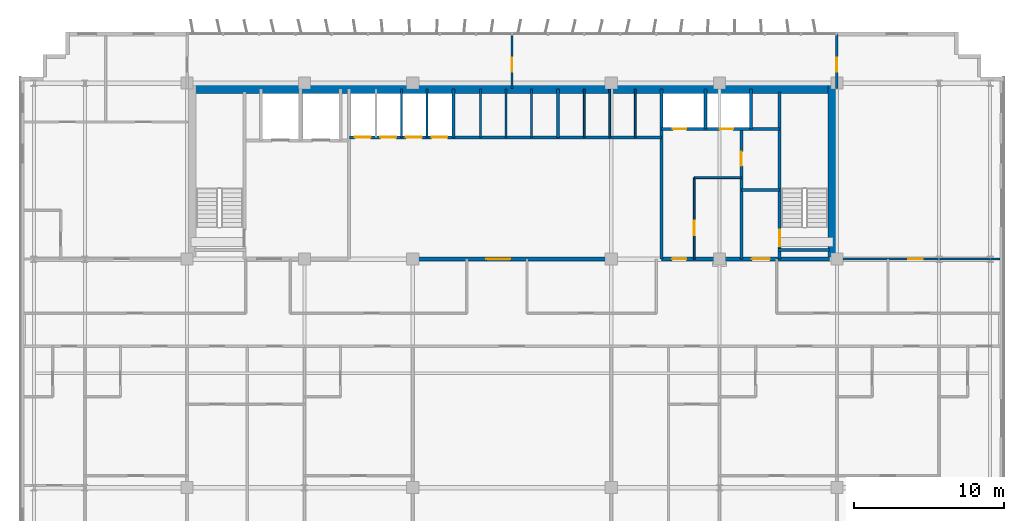
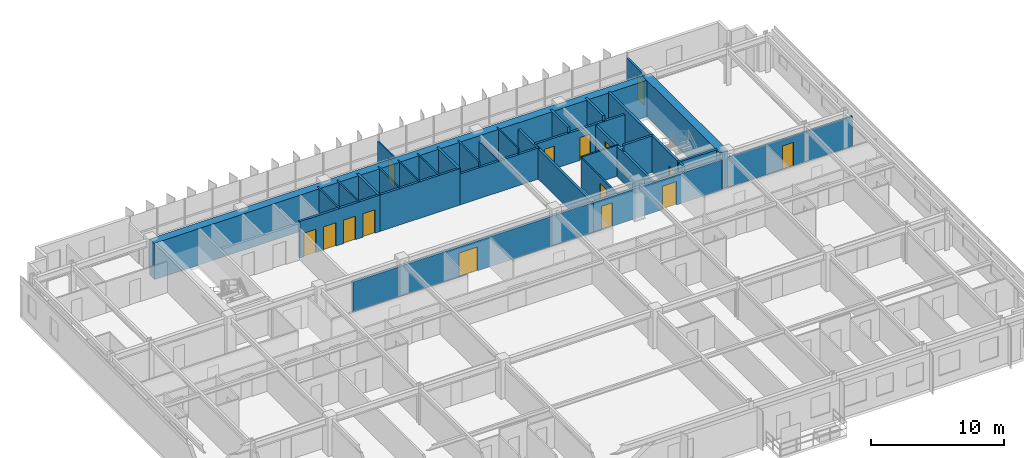
# One storey, part 18 of 22: 30 walls, 15 doors, 15 openings.
"""IFC4 building model written with IfcOpenShell, lengths in metres."""

from ifc_helpers import new_model, si_unit, direction, frame, frame_2d, origin, place, context, subcontext, project, spatial, rectangle, extrude, source, transform, mapped, material, layer, layer_set, type_object, element, fill, save


model = new_model("IFC4")

# Units and contexts
model_context = context("Model", 3, precision=1e-05, world=origin(), true_north=direction((0.0, 1.0)))
body_context = subcontext(model_context, "Body", "Model", "MODEL_VIEW")
ifc_project = project(units=[si_unit("LENGTHUNIT", "METRE"), si_unit("AREAUNIT", "SQUARE_METRE"), si_unit("VOLUMEUNIT", "CUBIC_METRE"), si_unit("PLANEANGLEUNIT", "RADIAN"), si_unit("MASSUNIT", "GRAM", prefix="KILO")], contexts=[model_context])

# Site, building, storey
site_placement = place(None, origin())
site = spatial("IfcSite", under=ifc_project, at=site_placement, CompositionType="ELEMENT")
building_placement = place(site_placement, origin())
building = spatial("IfcBuilding", under=site, at=building_placement, Name="Trelvane Seafront Commons", CompositionType="ELEMENT")
storey_placement = place(building_placement, frame((0.0, 0.0, 92.5)))
storey = spatial("IfcBuildingStorey", under=building, at=storey_placement, Name="L23", CompositionType="ELEMENT", Elevation=92.5)

# Wall, opening, door
ifc_material_1 = material(Name="Concrete C40/50", Category="concrete")
ifc_layer_1 = layer(ifc_material_1, 0.199951171875, Name="ARCH-WALL-FIRE200")
ifc_layer_set_1 = layer_set([ifc_layer_1], Name="Concrete C40/50")
wall_type_1 = type_object("IfcWallType", Name="ARCH-WALL-FIRE200", PredefinedType="PARTITIONING", material=ifc_layer_set_1)
wall_1_placement = place(storey_placement, frame((52.449951171875, 33.39990234375, 0.0), z_axis=(0.0, 0.0, 1.0), x_axis=(0.0, 1.0, 0.0)))
wall_1 = element("IfcWall", 1, at=wall_1_placement, inside=storey, type_object=wall_type_1, Name="W-L23-ST2V-W-033", PredefinedType="PARTITIONING", context=body_context, shape_type="SweptSolid", body=[
    extrude(rectangle(XDim=8.650146484375, YDim=0.199951171875, at=frame_2d((4.3251953125, 0.0))), origin(), (0.0, 0.0, 1.0), 2.751953125),
])
opening_1_placement = place(wall_1_placement, frame((6.199951171875, 0.0, 0.0)))
opening_1 = element("IfcOpeningElement", 2, at=opening_1_placement, cuts=wall_1, Name="Opening FD-L23-13", PredefinedType="OPENING", context=body_context, shape_type="SweptSolid", body=[
    extrude(rectangle(XDim=0.949951171875, YDim=2.14990234375, at=frame_2d((0.47509765625, 1.074951171875))), frame((0.0, 0.10986328125, 0.0), z_axis=(0.0, -1.0, 0.0), x_axis=(1.0, 0.0, 0.0)), (0.0, 0.0, 1.0), 0.219970703125),
])
ifc_material_2 = material(Name="Powder-coated aluminium frame", Category="aluminium")
door_type_1 = type_object("IfcDoorType", Name="ARCH-DR-FD60-950", OperationType="NOTDEFINED", PredefinedType="DOOR", material=ifc_material_2)
shared_shape_1 = source(origin(), body_context, "Body", "SweptSolid", [
    extrude(rectangle(XDim=0.949951171875, YDim=2.14990234375, at=frame_2d((0.47509765625, 1.074951171875))), frame((0.0, 0.02490234375, 0.0), z_axis=(0.0, -1.0, 0.0), x_axis=(1.0, 0.0, 0.0)), (0.0, 0.0, 1.0), 0.050048828125),
])
door_1_placement = place(opening_1_placement, origin())
door_1 = element("IfcDoor", 3, at=door_1_placement, inside=storey, type_object=door_type_1, Name="L23 Cleaner Store Door", OperationType="SINGLE_SWING_LEFT", OverallHeight=2.14990234375, OverallWidth=0.949951171875, PredefinedType="DOOR", context=body_context, shape_type="MappedRepresentation", body=[
    mapped(shared_shape_1, transform((0.0, 0.0, 0.0), x_axis=(1.0, 0.0, 0.0), y_axis=(0.0, 1.0, 0.0), z_axis=(0.0, 0.0, 1.0), scale=1.0)),
])
fill(opening_1, door_1)

# Wall
wall_2_placement = place(storey_placement, frame((52.449951171875, 38.0, 0.0), z_axis=(0.0, 0.0, 1.0), x_axis=(1.0, 0.0, 0.0)))
element("IfcWall", 4, at=wall_2_placement, inside=storey, type_object=wall_type_1, Name="W-L23-ST2V-N-034", PredefinedType="PARTITIONING", context=body_context, shape_type="SweptSolid", body=[
    extrude(rectangle(XDim=2.550048828125, YDim=0.199951171875, at=frame_2d((1.27490234375, 0.0))), origin(), (0.0, 0.0, 1.0), 3.340087890625),
])

# Wall, opening, door
ifc_layer_2 = layer(ifc_material_1, 0.25, Name="ARCH-WALL-FIRE250")
ifc_layer_set_2 = layer_set([ifc_layer_2], Name="Concrete C40/50")
wall_type_2 = type_object("IfcWallType", Name="ARCH-WALL-FIRE250", PredefinedType="PARTITIONING", material=ifc_layer_set_2)
wall_3_placement = place(storey_placement, frame((26.300048828125, 33.39990234375, 0.0), z_axis=(0.0, 0.0, 1.0), x_axis=(1.0, 0.0, 0.0)))
wall_3 = element("IfcWall", 5, at=wall_3_placement, inside=storey, type_object=wall_type_2, Name="W-L23-CS-PAX-029", PredefinedType="PARTITIONING", context=body_context, shape_type="SweptSolid", body=[
    extrude(rectangle(XDim=20.849853515625, YDim=0.25, at=frame_2d((10.4248046875, 0.0))), origin(), (0.0, 0.0, 1.0), 2.751953125),
])
opening_2_placement = place(wall_3_placement, frame((9.199951171875, 0.0, 0.0)))
opening_2 = element("IfcOpeningElement", 6, at=opening_2_placement, cuts=wall_3, Name="Opening FD-L23-10", PredefinedType="OPENING", context=body_context, shape_type="SweptSolid", body=[
    extrude(rectangle(XDim=1.60009765625, YDim=2.199951171875, at=frame_2d((0.800048828125, 1.10009765625))), frame((0.0, 0.135009765625, 0.0), z_axis=(0.0, -1.0, 0.0), x_axis=(1.0, 0.0, 0.0)), (0.0, 0.0, 1.0), 0.27001953125),
])
door_type_2 = type_object("IfcDoorType", Name="ARCH-DR-FD60-1600", OperationType="DOUBLE_DOOR_SINGLE_SWING", PredefinedType="DOOR", material=ifc_material_2)
shared_shape_2 = source(origin(), body_context, "Body", "SweptSolid", [
    extrude(rectangle(XDim=1.60009765625, YDim=2.199951171875, at=frame_2d((0.800048828125, 1.10009765625))), frame((0.0, 0.02490234375, 0.0), z_axis=(0.0, -1.0, 0.0), x_axis=(1.0, 0.0, 0.0)), (0.0, 0.0, 1.0), 0.050048828125),
])
door_2_placement = place(opening_2_placement, origin())
door_2 = element("IfcDoor", 7, at=door_2_placement, inside=storey, type_object=door_type_2, Name="L23 Passenger Lift Lobby Double Door", OperationType="DOUBLE_DOOR_SINGLE_SWING", OverallHeight=2.199951171875, OverallWidth=1.60009765625, PredefinedType="DOOR", context=body_context, shape_type="MappedRepresentation", body=[
    mapped(shared_shape_2, transform((0.0, 0.0, 0.0), x_axis=(1.0, 0.0, 0.0), y_axis=(0.0, 1.0, 0.0), z_axis=(0.0, 0.0, 1.0), scale=1.0)),
])
fill(opening_2, door_2)

# Wall, openings, doors
wall_4_placement = place(storey_placement, frame((47.14990234375, 33.39990234375, 0.0), z_axis=(0.0, 0.0, 1.0), x_axis=(1.0, 0.0, 0.0)))
wall_4 = element("IfcWall", 8, at=wall_4_placement, inside=storey, type_object=wall_type_2, Name="W-L23-CS-EAST-037", PredefinedType="PARTITIONING", context=body_context, shape_type="SweptSolid", body=[
    extrude(rectangle(XDim=11.150146484375, YDim=0.25, at=frame_2d((5.5751953125, 0.0))), origin(), (0.0, 0.0, 1.0), 2.751953125),
])
opening_3_placement = place(wall_4_placement, frame((0.699951171875, 0.0, 0.0)))
opening_3 = element("IfcOpeningElement", 9, at=opening_3_placement, cuts=wall_4, Name="Opening FD-L23-15", PredefinedType="OPENING", context=body_context, shape_type="SweptSolid", body=[
    extrude(rectangle(XDim=0.949951171875, YDim=2.14990234375, at=frame_2d((0.47509765625, 1.074951171875))), frame((0.0, 0.135009765625, 0.0), z_axis=(0.0, -1.0, 0.0), x_axis=(1.0, 0.0, 0.0)), (0.0, 0.0, 1.0), 0.27001953125),
])
opening_4_placement = place(wall_4_placement, frame((6.0, 0.0, 0.0)))
opening_4 = element("IfcOpeningElement", 10, at=opening_4_placement, cuts=wall_4, Name="Opening FD-L23-16", PredefinedType="OPENING", context=body_context, shape_type="SweptSolid", body=[
    extrude(rectangle(XDim=1.199951171875, YDim=2.14990234375, at=frame_2d((0.60009765625, 1.074951171875))), frame((0.0, 0.135009765625, 0.0), z_axis=(0.0, -1.0, 0.0), x_axis=(1.0, 0.0, 0.0)), (0.0, 0.0, 1.0), 0.27001953125),
])
door_3_placement = place(opening_3_placement, origin())
door_3 = element("IfcDoor", 11, at=door_3_placement, inside=storey, type_object=door_type_1, Name="L23 Core Service Lobby Door", OperationType="SINGLE_SWING_LEFT", OverallHeight=2.14990234375, OverallWidth=0.949951171875, PredefinedType="DOOR", context=body_context, shape_type="MappedRepresentation", body=[
    mapped(shared_shape_1, transform((0.0, 0.0, 0.0), x_axis=(1.0, 0.0, 0.0), y_axis=(0.0, 1.0, 0.0), z_axis=(0.0, 0.0, 1.0), scale=1.0)),
])
fill(opening_3, door_3)
door_type_3 = type_object("IfcDoorType", Name="ARCH-DR-FD60-1200", OperationType="NOTDEFINED", PredefinedType="DOOR", material=ifc_material_2)
shared_shape_3 = source(origin(), body_context, "Body", "SweptSolid", [
    extrude(rectangle(XDim=1.199951171875, YDim=2.14990234375, at=frame_2d((0.60009765625, 1.074951171875))), frame((0.0, 0.02490234375, 0.0), z_axis=(0.0, -1.0, 0.0), x_axis=(1.0, 0.0, 0.0)), (0.0, 0.0, 1.0), 0.050048828125),
])
door_4_placement = place(opening_4_placement, origin())
door_4 = element("IfcDoor", 12, at=door_4_placement, inside=storey, type_object=door_type_3, Name="L23 East Stair Vestibule Fire Door", OperationType="SINGLE_SWING_RIGHT", OverallHeight=2.14990234375, OverallWidth=1.199951171875, PredefinedType="DOOR", context=body_context, shape_type="MappedRepresentation", body=[
    mapped(shared_shape_3, transform((0.0, 0.0, 0.0), x_axis=(1.0, 0.0, 0.0), y_axis=(0.0, 1.0, 0.0), z_axis=(0.0, 0.0, 1.0), scale=1.0)),
])
fill(opening_4, door_4)

# Walls
ifc_material_3 = material(Name="Gypsum Drywall Acoustic Partition")
ifc_layer_3 = layer(ifc_material_3, 0.1201171875, Name="ARCH-WALL-PART120")
ifc_layer_set_3 = layer_set([ifc_layer_3], Name="Gypsum Drywall Acoustic Partition")
wall_type_3 = type_object("IfcWallType", Name="ARCH-WALL-PART120", PredefinedType="PARTITIONING", material=ifc_layer_set_3)
for number, where, z_axis, x_axis, name in (
    (13, (29.85009765625, 41.5, 0.0), (0.0, 0.0, 1.0), (0.0, 1.0, 0.0), "W-L23-PL-DIV2-017"),
    (14, (31.550048828125, 41.5, 0.0), (0.0, 0.0, 1.0), (0.0, 1.0, 0.0), "W-L23-PL-DIV3-018"),
    (15, (35.10009765625, 41.5, 0.0), (0.0, 0.0, 1.0), (0.0, 1.0, 0.0), "W-L23-PM-DIV1-020"),
    (16, (36.800048828125, 41.5, 0.0), (0.0, 0.0, 1.0), (0.0, 1.0, 0.0), "W-L23-PM-DIV2-021"),
    (17, (38.5, 41.5, 0.0), (0.0, 0.0, 1.0), (0.0, 1.0, 0.0), "W-L23-PM-DIV3-022"),
    (18, (42.0, 41.5, 0.0), (0.0, 0.0, 1.0), (0.0, 1.0, 0.0), "W-L23-PH-DIV1-025"),
):
    element("IfcWall", number, at=place(storey_placement, frame(where, z_axis=z_axis, x_axis=x_axis)), inside=storey, type_object=wall_type_3, Name=name, PredefinedType="PARTITIONING", context=body_context, shape_type="SweptSolid", body=[
        extrude(rectangle(XDim=3.199951171875, YDim=0.1201171875, at=frame_2d((1.60009765625, 0.0))), origin(), (0.0, 0.0, 1.0), 3.340087890625),
    ])
wall_5_placement = place(storey_placement, frame((43.699951171875, 41.5, 0.0), z_axis=(0.0, 0.0, 1.0), x_axis=(0.0, 1.0, 0.0)))
element("IfcWall", 19, at=wall_5_placement, inside=storey, type_object=wall_type_3, Name="W-L23-PH-DIV2-026", PredefinedType="PARTITIONING", context=body_context, shape_type="SweptSolid", body=[
    extrude(rectangle(XDim=3.199951171875, YDim=0.1201171875, at=frame_2d((1.60009765625, 0.0))), origin(), (0.0, 0.0, 1.0), 2.840087890625),
])
wall_6_placement = place(storey_placement, frame((45.39990234375, 41.5, 0.0), z_axis=(0.0, 0.0, 1.0), x_axis=(0.0, 1.0, 0.0)))
element("IfcWall", 20, at=wall_6_placement, inside=storey, type_object=wall_type_3, Name="W-L23-PH-DIV3-027", PredefinedType="PARTITIONING", context=body_context, shape_type="SweptSolid", body=[
    extrude(rectangle(XDim=3.199951171875, YDim=0.1201171875, at=frame_2d((1.60009765625, 0.0))), origin(), (0.0, 0.0, 1.0), 3.340087890625),
])

# Wall, opening, door
wall_7_placement = place(storey_placement, frame((49.320068359375, 33.39990234375, 0.0), z_axis=(0.0, 0.0, 1.0), x_axis=(0.0, 1.0, 0.0)))
wall_7 = element("IfcWall", 21, at=wall_7_placement, inside=storey, type_object=wall_type_3, Name="W-L23-CYC2-V-035", PredefinedType="PARTITIONING", context=body_context, shape_type="SweptSolid", body=[
    extrude(rectangle(XDim=5.420166015625, YDim=0.1201171875, at=frame_2d((2.7099609375, 0.0))), origin(), (0.0, 0.0, 1.0), 2.751953125),
])
opening_5_placement = place(wall_7_placement, frame((1.60009765625, 0.0, 0.0)))
opening_5 = element("IfcOpeningElement", 22, at=opening_5_placement, cuts=wall_7, Name="Opening D-L23-14", PredefinedType="OPENING", context=body_context, shape_type="SweptSolid", body=[
    extrude(rectangle(XDim=0.949951171875, YDim=2.14990234375, at=frame_2d((0.47509765625, 1.074951171875))), frame((0.0, 0.070068359375, 0.0), z_axis=(0.0, -1.0, 0.0), x_axis=(1.0, 0.0, 0.0)), (0.0, 0.0, 1.0), 0.14013671875),
])
ifc_material_4 = material(Name="Acoustic timber door leaf", Category="wood")
door_type_4 = type_object("IfcDoorType", Name="ARCH-DR-INT950", OperationType="NOTDEFINED", PredefinedType="DOOR", material=ifc_material_4)
door_5_placement = place(opening_5_placement, origin())
door_5 = element("IfcDoor", 23, at=door_5_placement, inside=storey, type_object=door_type_4, Name="L23 Accessible WC Door", OperationType="SINGLE_SWING_RIGHT", OverallHeight=2.14990234375, OverallWidth=0.949951171875, PredefinedType="DOOR", context=body_context, shape_type="MappedRepresentation", body=[
    mapped(shared_shape_1, transform((0.0, 0.0, 0.0), x_axis=(1.0, 0.0, 0.0), y_axis=(0.0, 1.0, 0.0), z_axis=(0.0, 0.0, 1.0), scale=1.0)),
])
fill(opening_5, door_5)

# Wall
wall_8_placement = place(storey_placement, frame((49.320068359375, 38.820068359375, 0.0), z_axis=(0.0, 0.0, 1.0), x_axis=(1.0, 0.0, 0.0)))
element("IfcWall", 24, at=wall_8_placement, inside=storey, type_object=wall_type_3, Name="W-L23-CYC2-H-036", PredefinedType="PARTITIONING", context=body_context, shape_type="SweptSolid", body=[
    extrude(rectangle(XDim=3.1298828125, YDim=0.1201171875, at=frame_2d((1.56494140625, 0.0))), origin(), (0.0, 0.0, 1.0), 2.840087890625),
])

# Wall, opening, door
wall_9_placement = place(storey_placement, frame((37.199951171875, 44.75, 0.0), z_axis=(0.0, 0.0, 1.0), x_axis=(0.0, 1.0, 0.0)))
wall_9 = element("IfcWall", 25, at=wall_9_placement, inside=storey, type_object=wall_type_3, Name="W-L23-N-MID-DV-056", PredefinedType="PARTITIONING", context=body_context, shape_type="SweptSolid", body=[
    extrude(rectangle(XDim=3.610107421875, YDim=0.1201171875, at=frame_2d((1.80517578125, 0.0))), origin(), (0.0, 0.0, 1.0), 2.751953125),
])
opening_6_placement = place(wall_9_placement, frame((1.10009765625, 0.0, 0.0)))
opening_6 = element("IfcOpeningElement", 26, at=opening_6_placement, cuts=wall_9, Name="Opening D-L23-27", PredefinedType="OPENING", context=body_context, shape_type="SweptSolid", body=[
    extrude(rectangle(XDim=0.949951171875, YDim=2.14990234375, at=frame_2d((0.47509765625, 1.074951171875))), frame((0.0, 0.070068359375, 0.0), z_axis=(0.0, -1.0, 0.0), x_axis=(1.0, 0.0, 0.0)), (0.0, 0.0, 1.0), 0.14013671875),
])
door_6_placement = place(opening_6_placement, origin())
door_6 = element("IfcDoor", 27, at=door_6_placement, inside=storey, type_object=door_type_4, Name="L23 Door 27", OperationType="SINGLE_SWING_LEFT", OverallHeight=2.14990234375, OverallWidth=0.949951171875, PredefinedType="DOOR", context=body_context, shape_type="MappedRepresentation", body=[
    mapped(shared_shape_1, transform((0.0, 0.0, 0.0), x_axis=(1.0, 0.0, 0.0), y_axis=(0.0, 1.0, 0.0), z_axis=(0.0, 0.0, 1.0), scale=1.0)),
])
fill(opening_6, door_6)

ifc_layer_4 = layer(ifc_material_3, 0.14990234375, Name="ARCH-WALL-PART150")
ifc_layer_set_4 = layer_set([ifc_layer_4], Name="Gypsum Drywall Acoustic Partition")
wall_type_4 = type_object("IfcWallType", Name="ARCH-WALL-PART150", PredefinedType="PARTITIONING", material=ifc_layer_set_4)
wall_10_placement = place(storey_placement, frame((58.800048828125, 33.39990234375, 0.0), z_axis=(0.0, 0.0, 1.0), x_axis=(1.0, 0.0, 0.0)))
wall_10 = element("IfcWall", 28, at=wall_10_placement, inside=storey, type_object=wall_type_4, Name="W-L23-NE-ENT-055", PredefinedType="PARTITIONING", context=body_context, shape_type="SweptSolid", body=[
    extrude(rectangle(XDim=10.849853515625, YDim=0.14990234375, at=frame_2d((5.4248046875, 0.0))), origin(), (0.0, 0.0, 1.0), 2.751953125),
])
opening_7_placement = place(wall_10_placement, frame((4.760009765625, 0.0, 0.0)))
opening_7 = element("IfcOpeningElement", 29, at=opening_7_placement, cuts=wall_10, Name="Opening FD-L23-26", PredefinedType="OPENING", context=body_context, shape_type="SweptSolid", body=[
    extrude(rectangle(XDim=0.949951171875, YDim=2.14990234375, at=frame_2d((0.47509765625, 1.074951171875))), frame((0.0, 0.0849609375, 0.0), z_axis=(0.0, -1.0, 0.0), x_axis=(1.0, 0.0, 0.0)), (0.0, 0.0, 1.0), 0.169921875),
])
door_7_placement = place(opening_7_placement, origin())
door_7 = element("IfcDoor", 30, at=door_7_placement, inside=storey, type_object=door_type_1, Name="L23 NE Suite Entrance Door", OperationType="SINGLE_SWING_RIGHT", OverallHeight=2.14990234375, OverallWidth=0.949951171875, PredefinedType="DOOR", context=body_context, shape_type="MappedRepresentation", body=[
    mapped(shared_shape_1, transform((0.0, 0.0, 0.0), x_axis=(1.0, 0.0, 0.0), y_axis=(0.0, 1.0, 0.0), z_axis=(0.0, 0.0, 1.0), scale=1.0)),
])
fill(opening_7, door_7)

wall_11_placement = place(storey_placement, frame((58.800048828125, 44.75, 0.0), z_axis=(0.0, 0.0, 1.0), x_axis=(0.0, 1.0, 0.0)))
wall_11 = element("IfcWall", 31, at=wall_11_placement, inside=storey, type_object=wall_type_4, Name="W-L23-N-LINK-E-058", PredefinedType="PARTITIONING", context=body_context, shape_type="SweptSolid", body=[
    extrude(rectangle(XDim=3.610107421875, YDim=0.14990234375, at=frame_2d((1.80517578125, 0.0))), origin(), (0.0, 0.0, 1.0), 2.840087890625),
])
opening_8_placement = place(wall_11_placement, frame((1.10009765625, 0.0, 0.0)))
opening_8 = element("IfcOpeningElement", 32, at=opening_8_placement, cuts=wall_11, Name="Opening FD-L23-29", PredefinedType="OPENING", context=body_context, shape_type="SweptSolid", body=[
    extrude(rectangle(XDim=0.949951171875, YDim=2.14990234375, at=frame_2d((0.47509765625, 1.074951171875))), frame((0.0, 0.0849609375, 0.0), z_axis=(0.0, -1.0, 0.0), x_axis=(1.0, 0.0, 0.0)), (0.0, 0.0, 1.0), 0.169921875),
])
door_8_placement = place(opening_8_placement, origin())
door_8 = element("IfcDoor", 33, at=door_8_placement, inside=storey, type_object=door_type_1, Name="L23 Door 29", OperationType="SINGLE_SWING_LEFT", OverallHeight=2.14990234375, OverallWidth=0.949951171875, PredefinedType="DOOR", context=body_context, shape_type="MappedRepresentation", body=[
    mapped(shared_shape_1, transform((0.0, 0.0, 0.0), x_axis=(1.0, 0.0, 0.0), y_axis=(0.0, 1.0, 0.0), z_axis=(0.0, 0.0, 1.0), scale=1.0)),
])
fill(opening_8, door_8)

# Wall, openings, doors
ifc_layer_5 = layer(ifc_material_1, 0.199951171875, Name="ARCH-WALL-SHAFT200")
ifc_layer_set_5 = layer_set([ifc_layer_5], Name="Concrete C40/50")
wall_type_5 = type_object("IfcWallType", Name="ARCH-WALL-SHAFT200", PredefinedType="SOLIDWALL", material=ifc_layer_set_5)
wall_12_placement = place(storey_placement, frame((26.39990234375, 41.5, 0.0), z_axis=(0.0, 0.0, 1.0), x_axis=(1.0, 0.0, 0.0)))
wall_12 = element("IfcWall", 34, at=wall_12_placement, inside=storey, type_object=wall_type_5, Name="W-L23-PL-FRONT-014", PredefinedType="SOLIDWALL", context=body_context, shape_type="SweptSolid", body=[
    extrude(rectangle(XDim=6.9501953125, YDim=0.199951171875, at=frame_2d((3.47509765625, 0.0))), origin(), (0.0, 0.0, 1.0), 3.340087890625),
])
opening_9_placement = place(wall_12_placement, frame((0.35009765625, 0.0, 0.0)))
opening_9 = element("IfcOpeningElement", 35, at=opening_9_placement, cuts=wall_12, Name="Opening LD-PL1-L23", PredefinedType="OPENING", context=body_context, shape_type="SweptSolid", body=[
    extrude(rectangle(XDim=1.050048828125, YDim=2.14990234375, at=frame_2d((0.52490234375, 1.074951171875))), frame((0.0, 0.10986328125, 0.0), z_axis=(0.0, -1.0, 0.0), x_axis=(1.0, 0.0, 0.0)), (0.0, 0.0, 1.0), 0.219970703125),
])
opening_10_placement = place(wall_12_placement, frame((2.050048828125, 0.0, 0.0)))
opening_10 = element("IfcOpeningElement", 36, at=opening_10_placement, cuts=wall_12, Name="Opening LD-PL2-L23", PredefinedType="OPENING", context=body_context, shape_type="SweptSolid", body=[
    extrude(rectangle(XDim=1.050048828125, YDim=2.14990234375, at=frame_2d((0.52490234375, 1.074951171875))), frame((0.0, 0.10986328125, 0.0), z_axis=(0.0, -1.0, 0.0), x_axis=(1.0, 0.0, 0.0)), (0.0, 0.0, 1.0), 0.219970703125),
])
opening_11_placement = place(wall_12_placement, frame((3.75, 0.0, 0.0)))
opening_11 = element("IfcOpeningElement", 37, at=opening_11_placement, cuts=wall_12, Name="Opening LD-PL3-L23", PredefinedType="OPENING", context=body_context, shape_type="SweptSolid", body=[
    extrude(rectangle(XDim=1.050048828125, YDim=2.14990234375, at=frame_2d((0.52490234375, 1.074951171875))), frame((0.0, 0.10986328125, 0.0), z_axis=(0.0, -1.0, 0.0), x_axis=(1.0, 0.0, 0.0)), (0.0, 0.0, 1.0), 0.219970703125),
])
opening_12_placement = place(wall_12_placement, frame((5.449951171875, 0.0, 0.0)))
opening_12 = element("IfcOpeningElement", 38, at=opening_12_placement, cuts=wall_12, Name="Opening LD-PL4-L23", PredefinedType="OPENING", context=body_context, shape_type="SweptSolid", body=[
    extrude(rectangle(XDim=1.050048828125, YDim=2.14990234375, at=frame_2d((0.52490234375, 1.074951171875))), frame((0.0, 0.10986328125, 0.0), z_axis=(0.0, -1.0, 0.0), x_axis=(1.0, 0.0, 0.0)), (0.0, 0.0, 1.0), 0.219970703125),
])
ifc_material_5 = material(Name="Stainless steel balustrade", Category="steel")
door_type_5 = type_object("IfcDoorType", Name="ARCH-DR-LD1050", OperationType="DOUBLE_DOOR_SLIDING", PredefinedType="DOOR", material=ifc_material_5)
shared_shape_4 = source(origin(), body_context, "Body", "SweptSolid", [
    extrude(rectangle(XDim=1.050048828125, YDim=2.14990234375, at=frame_2d((0.52490234375, 1.074951171875))), frame((0.0, 0.02490234375, 0.0), z_axis=(0.0, -1.0, 0.0), x_axis=(1.0, 0.0, 0.0)), (0.0, 0.0, 1.0), 0.050048828125),
])
door_9_placement = place(opening_9_placement, origin())
door_9 = element("IfcDoor", 39, at=door_9_placement, inside=storey, type_object=door_type_5, Name="L23 Passenger Lift PL-1 Landing Door", OperationType="DOUBLE_DOOR_SLIDING", OverallHeight=2.14990234375, OverallWidth=1.050048828125, PredefinedType="DOOR", context=body_context, shape_type="MappedRepresentation", body=[
    mapped(shared_shape_4, transform((0.0, 0.0, 0.0), x_axis=(1.0, 0.0, 0.0), y_axis=(0.0, 1.0, 0.0), z_axis=(0.0, 0.0, 1.0), scale=1.0)),
])
fill(opening_9, door_9)
door_10_placement = place(opening_10_placement, origin())
door_10 = element("IfcDoor", 40, at=door_10_placement, inside=storey, type_object=door_type_5, Name="L23 Passenger Lift PL-2 Landing Door", OperationType="DOUBLE_DOOR_SLIDING", OverallHeight=2.14990234375, OverallWidth=1.050048828125, PredefinedType="DOOR", context=body_context, shape_type="MappedRepresentation", body=[
    mapped(shared_shape_4, transform((0.0, 0.0, 0.0), x_axis=(1.0, 0.0, 0.0), y_axis=(0.0, 1.0, 0.0), z_axis=(0.0, 0.0, 1.0), scale=1.0)),
])
fill(opening_10, door_10)
door_11_placement = place(opening_11_placement, origin())
door_11 = element("IfcDoor", 41, at=door_11_placement, inside=storey, type_object=door_type_5, Name="L23 Passenger Lift PL-3 Landing Door", OperationType="DOUBLE_DOOR_SLIDING", OverallHeight=2.14990234375, OverallWidth=1.050048828125, PredefinedType="DOOR", context=body_context, shape_type="MappedRepresentation", body=[
    mapped(shared_shape_4, transform((0.0, 0.0, 0.0), x_axis=(1.0, 0.0, 0.0), y_axis=(0.0, 1.0, 0.0), z_axis=(0.0, 0.0, 1.0), scale=1.0)),
])
fill(opening_11, door_11)
door_12_placement = place(opening_12_placement, origin())
door_12 = element("IfcDoor", 42, at=door_12_placement, inside=storey, type_object=door_type_5, Name="L23 Passenger Lift PL-4 Landing Door", OperationType="DOUBLE_DOOR_SLIDING", OverallHeight=2.14990234375, OverallWidth=1.050048828125, PredefinedType="DOOR", context=body_context, shape_type="MappedRepresentation", body=[
    mapped(shared_shape_4, transform((0.0, 0.0, 0.0), x_axis=(1.0, 0.0, 0.0), y_axis=(0.0, 1.0, 0.0), z_axis=(0.0, 0.0, 1.0), scale=1.0)),
])
fill(opening_12, door_12)

# Walls
wall_13_placement = place(storey_placement, frame((33.300048828125, 41.5, 0.0), z_axis=(0.0, 0.0, 1.0), x_axis=(0.0, 1.0, 0.0)))
element("IfcWall", 43, at=wall_13_placement, inside=storey, type_object=wall_type_5, Name="W-L23-PL-EAST-SH-015", PredefinedType="SOLIDWALL", context=body_context, shape_type="SweptSolid", body=[
    extrude(rectangle(XDim=3.199951171875, YDim=0.199951171875, at=frame_2d((1.60009765625, 0.0))), origin(), (0.0, 0.0, 1.0), 3.340087890625),
])
wall_14_placement = place(storey_placement, frame((33.35009765625, 41.5, 0.0), z_axis=(0.0, 0.0, 1.0), x_axis=(1.0, 0.0, 0.0)))
element("IfcWall", 44, at=wall_14_placement, inside=storey, type_object=wall_type_5, Name="W-L23-PM-FRONT-019", PredefinedType="SOLIDWALL", context=body_context, shape_type="SweptSolid", body=[
    extrude(rectangle(XDim=6.89990234375, YDim=0.199951171875, at=frame_2d((3.449951171875, 0.0))), origin(), (0.0, 0.0, 1.0), 3.340087890625),
])
wall_15_placement = place(storey_placement, frame((40.25, 41.5, 0.0), z_axis=(0.0, 0.0, 1.0), x_axis=(1.0, 0.0, 0.0)))
element("IfcWall", 45, at=wall_15_placement, inside=storey, type_object=wall_type_5, Name="W-L23-PH-FRONT-023", PredefinedType="SOLIDWALL", context=body_context, shape_type="SweptSolid", body=[
    extrude(rectangle(XDim=6.89990234375, YDim=0.199951171875, at=frame_2d((3.449951171875, 0.0))), origin(), (0.0, 0.0, 1.0), 2.840087890625),
])
wall_16_placement = place(storey_placement, frame((40.25, 41.5, 0.0), z_axis=(0.0, 0.0, 1.0), x_axis=(0.0, 1.0, 0.0)))
element("IfcWall", 46, at=wall_16_placement, inside=storey, type_object=wall_type_5, Name="W-L23-PH-WEST-SH-024", PredefinedType="SOLIDWALL", context=body_context, shape_type="SweptSolid", body=[
    extrude(rectangle(XDim=3.199951171875, YDim=0.199951171875, at=frame_2d((1.60009765625, 0.0))), origin(), (0.0, 0.0, 1.0), 3.340087890625),
])
wall_17_placement = place(storey_placement, frame((47.14990234375, 33.39990234375, 0.0), z_axis=(0.0, 0.0, 1.0), x_axis=(0.0, 1.0, 0.0)))
element("IfcWall", 47, at=wall_17_placement, inside=storey, type_object=wall_type_5, Name="W-L23-PH-EAST-028", PredefinedType="SOLIDWALL", context=body_context, shape_type="SweptSolid", body=[
    extrude(rectangle(XDim=11.300048828125, YDim=0.199951171875, at=frame_2d((5.64990234375, 0.0))), origin(), (0.0, 0.0, 1.0), 2.751953125),
])

# Wall, openings, doors
wall_18_placement = place(storey_placement, frame((47.14990234375, 42.050048828125, 0.0), z_axis=(0.0, 0.0, 1.0), x_axis=(1.0, 0.0, 0.0)))
wall_18 = element("IfcWall", 48, at=wall_18_placement, inside=storey, type_object=wall_type_5, Name="W-L23-RSR-S-030", PredefinedType="SOLIDWALL", context=body_context, shape_type="SweptSolid", body=[
    extrude(rectangle(XDim=7.85009765625, YDim=0.199951171875, at=frame_2d((3.925048828125, 0.0))), origin(), (0.0, 0.0, 1.0), 2.840087890625),
])
opening_13_placement = place(wall_18_placement, frame((0.75, 0.0, 0.0)))
opening_13 = element("IfcOpeningElement", 49, at=opening_13_placement, cuts=wall_18, Name="Opening FD-L23-11", PredefinedType="OPENING", context=body_context, shape_type="SweptSolid", body=[
    extrude(rectangle(XDim=0.89990234375, YDim=2.10009765625, at=frame_2d((0.449951171875, 1.050048828125))), frame((0.0, 0.10986328125, 0.0), z_axis=(0.0, -1.0, 0.0), x_axis=(1.0, 0.0, 0.0)), (0.0, 0.0, 1.0), 0.219970703125),
])
opening_14_placement = place(wall_18_placement, frame((3.85009765625, 0.0, 0.0)))
opening_14 = element("IfcOpeningElement", 50, at=opening_14_placement, cuts=wall_18, Name="Opening FD-L23-12", PredefinedType="OPENING", context=body_context, shape_type="SweptSolid", body=[
    extrude(rectangle(XDim=0.89990234375, YDim=2.10009765625, at=frame_2d((0.449951171875, 1.050048828125))), frame((0.0, 0.10986328125, 0.0), z_axis=(0.0, -1.0, 0.0), x_axis=(1.0, 0.0, 0.0)), (0.0, 0.0, 1.0), 0.219970703125),
])
door_type_6 = type_object("IfcDoorType", Name="ARCH-DR-FD60-900", OperationType="NOTDEFINED", PredefinedType="DOOR", material=ifc_material_2)
shared_shape_5 = source(origin(), body_context, "Body", "SweptSolid", [
    extrude(rectangle(XDim=0.89990234375, YDim=2.10009765625, at=frame_2d((0.449951171875, 1.050048828125))), frame((0.0, 0.02490234375, 0.0), z_axis=(0.0, -1.0, 0.0), x_axis=(1.0, 0.0, 0.0)), (0.0, 0.0, 1.0), 0.050048828125),
])
door_13_placement = place(opening_13_placement, origin())
door_13 = element("IfcDoor", 51, at=door_13_placement, inside=storey, type_object=door_type_6, Name="L23 Electrical Riser Access Door", OperationType="SINGLE_SWING_LEFT", OverallHeight=2.10009765625, OverallWidth=0.89990234375, PredefinedType="DOOR", context=body_context, shape_type="MappedRepresentation", body=[
    mapped(shared_shape_5, transform((0.0, 0.0, 0.0), x_axis=(1.0, 0.0, 0.0), y_axis=(0.0, 1.0, 0.0), z_axis=(0.0, 0.0, 1.0), scale=1.0)),
])
fill(opening_13, door_13)
door_14_placement = place(opening_14_placement, origin())
door_14 = element("IfcDoor", 52, at=door_14_placement, inside=storey, type_object=door_type_6, Name="L23 Mechanical Riser Access Door", OperationType="SINGLE_SWING_RIGHT", OverallHeight=2.10009765625, OverallWidth=0.89990234375, PredefinedType="DOOR", context=body_context, shape_type="MappedRepresentation", body=[
    mapped(shared_shape_5, transform((0.0, 0.0, 0.0), x_axis=(1.0, 0.0, 0.0), y_axis=(0.0, 1.0, 0.0), z_axis=(0.0, 0.0, 1.0), scale=1.0)),
])
fill(opening_14, door_14)

# Walls
for number, where, z_axis, x_axis, name in (
    (53, (50.080078125, 42.050048828125, 0.0), (0.0, 0.0, 1.0), (0.0, 1.0, 0.0), "W-L23-RSR-DIV-031"),
    (54, (53.10009765625, 42.050048828125, 0.0), (0.0, 0.0, 1.0), (0.0, 1.0, 0.0), "W-L23-RSR-E-032"),
):
    element("IfcWall", number, at=place(storey_placement, frame(where, z_axis=z_axis, x_axis=x_axis)), inside=storey, type_object=wall_type_5, Name=name, PredefinedType="SOLIDWALL", context=body_context, shape_type="SweptSolid", body=[
        extrude(rectangle(XDim=2.64990234375, YDim=0.199951171875, at=frame_2d((1.324951171875, 0.0))), origin(), (0.0, 0.0, 1.0), 3.340087890625),
    ])
ifc_material_6 = material(Name="Concrete C60/75", Category="concrete")
ifc_layer_6 = layer(ifc_material_6, 0.699951171875, Name="STR-WALL-CORE700")
ifc_layer_set_6 = layer_set([ifc_layer_6], Name="Concrete C60/75")
wall_type_6 = type_object("IfcWallType", Name="STR-WALL-CORE700", PredefinedType="SHEAR", material=ifc_layer_set_6)
wall_19_placement = place(storey_placement, frame((15.5, 44.75, 0.0), z_axis=(0.0, 0.0, 1.0), x_axis=(1.0, 0.0, 0.0)))
element("IfcWall", 55, at=wall_19_placement, inside=storey, type_object=wall_type_6, Name="W-L23-CN-ALL-001", PredefinedType="SHEAR", context=body_context, shape_type="SweptSolid", body=[
    extrude(rectangle(XDim=43.39990234375, YDim=0.699951171875, at=frame_2d((21.699951171875, 0.0))), origin(), (0.0, 0.0, 1.0), 3.340087890625),
])
wall_20_placement = place(storey_placement, frame((58.550048828125, 33.39990234375, 0.0), z_axis=(0.0, 0.0, 1.0), x_axis=(0.0, 1.0, 0.0)))
element("IfcWall", 56, at=wall_20_placement, inside=storey, type_object=wall_type_6, Name="W-L23-CE-END-003", PredefinedType="SHEAR", context=body_context, shape_type="SweptSolid", body=[
    extrude(rectangle(XDim=11.7001953125, YDim=0.699951171875, at=frame_2d((5.85009765625, 0.0))), origin(), (0.0, 0.0, 1.0), 3.340087890625),
])
ifc_material_7 = material(Name="Concrete C50/60", Category="concrete")
ifc_layer_7 = layer(ifc_material_7, 0.199951171875, Name="STR-WALL-STAIR200")
ifc_layer_set_7 = layer_set([ifc_layer_7], Name="Concrete C50/60")
wall_type_7 = type_object("IfcWallType", Name="STR-WALL-STAIR200", PredefinedType="SHEAR", material=ifc_layer_set_7)
wall_21_placement = place(storey_placement, frame((54.89990234375, 34.0, 0.0), z_axis=(0.0, 0.0, 1.0), x_axis=(1.0, 0.0, 0.0)))
element("IfcWall", 57, at=wall_21_placement, inside=storey, type_object=wall_type_7, Name="W-L23-ST2-S-006", PredefinedType="SHEAR", context=body_context, shape_type="SweptSolid", body=[
    extrude(rectangle(XDim=3.400146484375, YDim=0.199951171875, at=frame_2d((1.7001953125, 0.0))), origin(), (0.0, 0.0, 1.0), 3.340087890625),
])

# Wall, opening, door
wall_22_placement = place(storey_placement, frame((55.0, 33.39990234375, 0.0), z_axis=(0.0, 0.0, 1.0), x_axis=(0.0, 1.0, 0.0)))
wall_22 = element("IfcWall", 58, at=wall_22_placement, inside=storey, type_object=wall_type_7, Name="W-L23-ST2-W-007", PredefinedType="SHEAR", context=body_context, shape_type="SweptSolid", body=[
    extrude(rectangle(XDim=11.10009765625, YDim=0.199951171875, at=frame_2d((5.550048828125, 0.0))), origin(), (0.0, 0.0, 1.0), 3.340087890625),
])
opening_15_placement = place(wall_22_placement, frame((0.85009765625, 0.0, 0.0)))
opening_15 = element("IfcOpeningElement", 59, at=opening_15_placement, cuts=wall_22, Name="Opening ST-D2-L23", PredefinedType="OPENING", context=body_context, shape_type="SweptSolid", body=[
    extrude(rectangle(XDim=1.10009765625, YDim=2.14990234375, at=frame_2d((0.550048828125, 1.074951171875))), frame((0.0, 0.10986328125, 0.0), z_axis=(0.0, -1.0, 0.0), x_axis=(1.0, 0.0, 0.0)), (0.0, 0.0, 1.0), 0.219970703125),
])
door_type_7 = type_object("IfcDoorType", Name="ARCH-DR-FD90-1100", OperationType="NOTDEFINED", PredefinedType="DOOR", material=ifc_material_2)
shared_shape_6 = source(origin(), body_context, "Body", "SweptSolid", [
    extrude(rectangle(XDim=1.10009765625, YDim=2.14990234375, at=frame_2d((0.550048828125, 1.074951171875))), frame((0.0, 0.02490234375, 0.0), z_axis=(0.0, -1.0, 0.0), x_axis=(1.0, 0.0, 0.0)), (0.0, 0.0, 1.0), 0.050048828125),
])
door_15_placement = place(opening_15_placement, origin())
door_15 = element("IfcDoor", 60, at=door_15_placement, inside=storey, type_object=door_type_7, Name="L23 Stair ST-2 Vestibule Fire Door", OperationType="SINGLE_SWING_RIGHT", OverallHeight=2.14990234375, OverallWidth=1.10009765625, PredefinedType="DOOR", context=body_context, shape_type="MappedRepresentation", body=[
    mapped(shared_shape_6, transform((0.0, 0.0, 0.0), x_axis=(1.0, 0.0, 0.0), y_axis=(0.0, 1.0, 0.0), z_axis=(0.0, 0.0, 1.0), scale=1.0)),
])
fill(opening_15, door_15)

save(model, "model.ifc")
